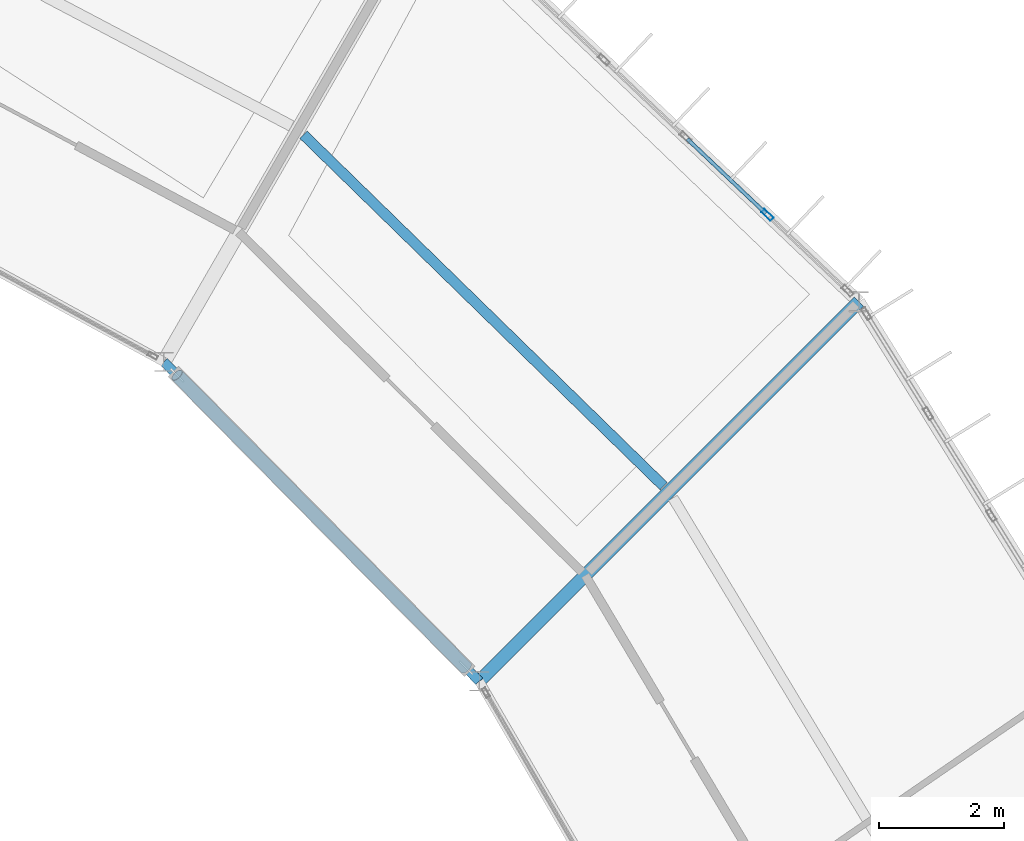
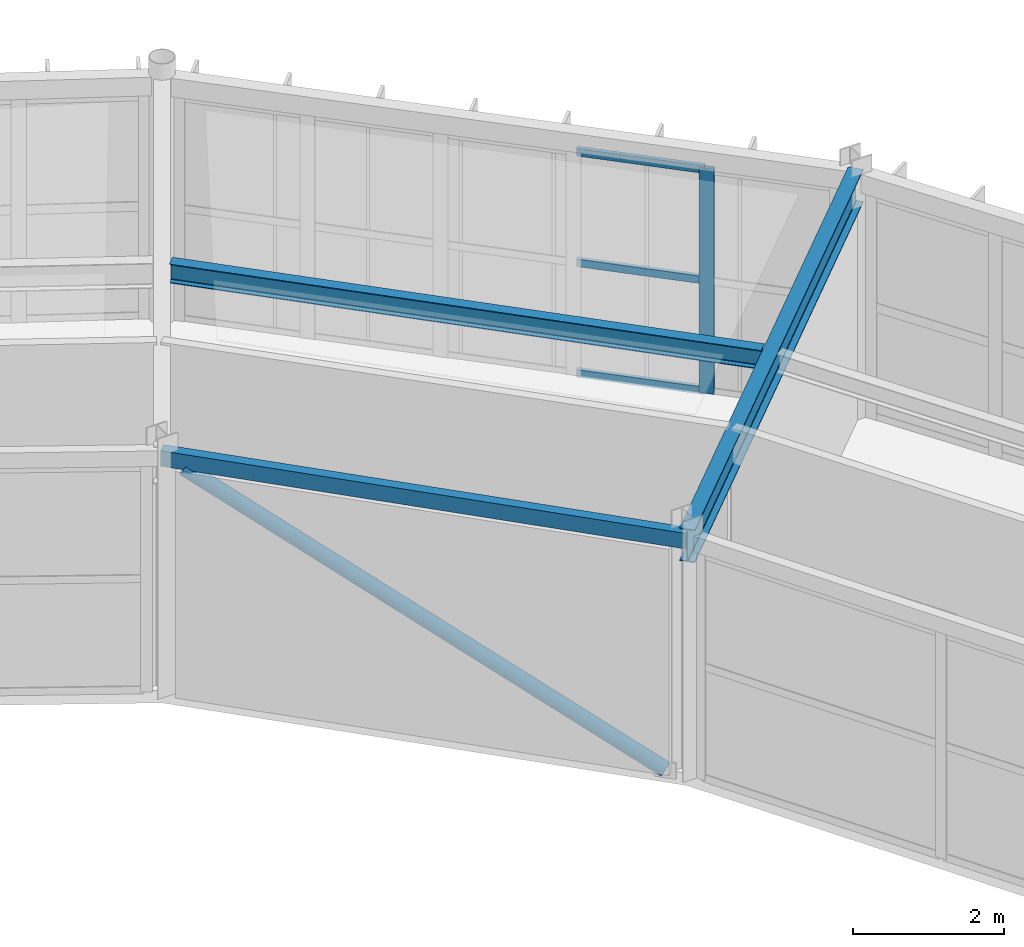
# One storey, part 84 of 148: 5 members, 3 beams, 1 element without a shape of its own.
"""IFC4 building model written with IfcOpenShell, lengths in metres."""

from ifc_helpers import new_model, si_unit, direction, frame, origin, origin_2d, place, context, subcontext, project, spatial, hollow_rectangle, hollow_circle, i_section, extrude, material, material_profile, profile_set, type_object, element, aggregate, save


model = new_model("IFC4")

# Units and contexts
model_context = context("Model", 3, precision=1e-05, world=origin(), true_north=direction((0.0, 1.0)))
body_context = subcontext(model_context, "Body", "Model", "MODEL_VIEW")
ifc_project = project(units=[si_unit("LENGTHUNIT", "METRE"), si_unit("AREAUNIT", "SQUARE_METRE"), si_unit("VOLUMEUNIT", "CUBIC_METRE"), si_unit("PLANEANGLEUNIT", "RADIAN"), si_unit("MASSUNIT", "GRAM", prefix="KILO")], contexts=[model_context])

# Site, building, storey
site_placement = place(None, origin())
site = spatial("IfcSite", under=ifc_project, at=site_placement, CompositionType="ELEMENT")
building_placement = place(site_placement, origin())
building = spatial("IfcBuilding", under=site, at=building_placement, Name="Karori Crest Natural Sciences Institute", CompositionType="ELEMENT")
storey_placement = place(building_placement, frame((0.0, 0.0, 4.89990234375)))
storey = spatial("IfcBuildingStorey", under=building, at=storey_placement, Name="L01", CompositionType="ELEMENT", Elevation=4.89990234375)

# Beams
ifc_material_1 = material(Name="Structural steel AS/NZS 3679.1 Grade 350", Category="steel")
ifc_material_profile_1 = material_profile(ifc_material_1, i_section(OverallWidth=0.208984375, OverallDepth=0.532958984375, WebThickness=0.01025390625, FlangeThickness=0.015625, FilletRadius=0.013916015625, at=origin_2d()), Name="530UB92.4")
ifc_profile_set_1 = profile_set([ifc_material_profile_1], Name="Structural steel AS/NZS 3679.1 Grade 350")
beam_type_1 = type_object("IfcBeamType", Name="BT-05", PredefinedType="BEAM", material=ifc_profile_set_1)
beam_1_placement = place(storey_placement, frame((83.6533203125, 72.668701171875, 3.673583984375), z_axis=(0.707106781187, 0.707106781187, 0.0), x_axis=(-0.707106781187, 0.707106781187, 0.0)))
element("IfcBeam", 1, at=beam_1_placement, inside=storey, type_object=beam_type_1, Name="Beam B-0193", PredefinedType="BEAM", context=body_context, shape_type="SweptSolid", body=[
    extrude(i_section(OverallWidth=0.208984375, OverallDepth=0.532958984375, WebThickness=0.01025390625, FlangeThickness=0.015625, FilletRadius=0.013916015625, at=origin_2d()), origin(), (0.0, 0.0, 1.0), 8.600341796875),
])
ifc_material_profile_2 = material_profile(ifc_material_1, i_section(OverallWidth=0.166015625, OverallDepth=0.306884765625, WebThickness=0.006591796875, FlangeThickness=0.01171875, FilletRadius=0.010986328125, at=origin_2d()), Name="310UB46.2")
ifc_profile_set_2 = profile_set([ifc_material_profile_2], Name="Structural steel AS/NZS 3679.1 Grade 350")
beam_type_2 = type_object("IfcBeamType", Name="BT-09", PredefinedType="BEAM", material=ifc_profile_set_2)
beam_2_placement = place(storey_placement, frame((86.608154296875, 75.793212890625, 3.78662109375), z_axis=(-0.715696324431, 0.698411605857, 0.0), x_axis=(-0.698411605857, -0.715696324431, 0.0)))
element("IfcBeam", 2, at=beam_2_placement, inside=storey, type_object=beam_type_2, Name="Beam B-0194", PredefinedType="BEAM", context=body_context, shape_type="SweptSolid", body=[
    extrude(i_section(OverallWidth=0.166015625, OverallDepth=0.306884765625, WebThickness=0.006591796875, FlangeThickness=0.01171875, FilletRadius=0.010986328125, at=origin_2d()), origin(), (0.0, 0.0, 1.0), 8.065185546875),
])
ifc_material_2 = material(Name="Hollow structural steel AS/NZS 1163 Grade C350", Category="steel")
ifc_material_profile_3 = material_profile(ifc_material_2, hollow_rectangle(XDim=0.14990234375, YDim=0.25, WallThickness=0.009033203125, at=origin_2d()), Name="RHS250x150x9")
ifc_profile_set_3 = profile_set([ifc_material_profile_3], Name="Hollow structural steel AS/NZS 1163 Grade C350")
beam_type_3 = type_object("IfcBeamType", Name="BT-16", PredefinedType="SPANDREL", material=ifc_profile_set_3)
beam_3_placement = place(storey_placement, frame((83.6533203125, 72.668701171875, 3.7900390625), z_axis=(-0.702645672149, 0.711539921164, 0.0), x_axis=(-0.711539921164, -0.702645672149, 0.0)))
element("IfcBeam", 3, at=beam_3_placement, inside=storey, type_object=beam_type_3, Name="Beam B-0192", PredefinedType="SPANDREL", context=body_context, shape_type="SweptSolid", body=[
    extrude(hollow_rectangle(XDim=0.14990234375, YDim=0.25, WallThickness=0.009033203125, at=origin_2d()), origin(), (0.0, 0.0, 1.0), 7.191650390625),
])

# Curtain wall, members
ifc_material_3 = material(Name="Anodised architectural aluminium 6063-T6", Category="aluminium")
curtain_wall_type = type_object("IfcCurtainWallType", Name="CWT-04", PredefinedType="NOTDEFINED", material=ifc_material_3)
curtain_wall_placement = place(storey_placement, origin())
curtain_wall = element("IfcCurtainWall", 4, at=curtain_wall_placement, inside=storey, type_object=curtain_wall_type, Name="Curtain wall CW-0035", PredefinedType="NOTDEFINED")
ifc_material_profile_4 = material_profile(ifc_material_3, hollow_rectangle(XDim=0.074951171875, YDim=0.199951171875, WallThickness=0.0048828125, at=origin_2d()), Name="CWM200x75x5")
ifc_profile_set_4 = profile_set([ifc_material_profile_4], Name="Anodised architectural aluminium 6063-T6")
member_type_1 = type_object("IfcMemberType", Name="CWM-02", PredefinedType="MULLION", material=ifc_profile_set_4)
member_1_placement = place(storey_placement, frame((88.27001953125, 80.139404296875, 0.0), z_axis=(0.0, 0.0, 1.0), x_axis=(0.688245939986, 0.725477446992, 0.0)))
member_1 = element("IfcMember", 5, at=member_1_placement, type_object=member_type_1, Name="CW-0035 mullion 5", PredefinedType="MULLION", context=body_context, shape_type="SweptSolid", body=[
    extrude(hollow_rectangle(XDim=0.074951171875, YDim=0.199951171875, WallThickness=0.0048828125, at=origin_2d()), origin(), (0.0, 0.0, 1.0), 3.625),
])
ifc_material_profile_5 = material_profile(ifc_material_3, hollow_rectangle(XDim=0.06005859375, YDim=0.1201171875, WallThickness=0.00390625, at=origin_2d()), Name="CWT120x60x4")
ifc_profile_set_5 = profile_set([ifc_material_profile_5], Name="Anodised architectural aluminium 6063-T6")
member_type_2 = type_object("IfcMemberType", Name="CWT-TR1", PredefinedType="USERDEFINED", material=ifc_profile_set_5)
member_2_placement = place(storey_placement, frame((86.986572265625, 81.35693359375, 0.030029296875), z_axis=(0.725474530002, -0.68824901476, 0.0), x_axis=(0.68824901476, 0.725474530002, 0.0)))
member_2 = element("IfcMember", 6, at=member_2_placement, type_object=member_type_2, Name="CW-0035 transom 4.1", ObjectType="TRANSOM", PredefinedType="USERDEFINED", context=body_context, shape_type="SweptSolid", body=[
    extrude(hollow_rectangle(XDim=0.06005859375, YDim=0.1201171875, WallThickness=0.00390625, at=origin_2d()), origin(), (0.0, 0.0, 1.0), 1.7314453125),
])
member_3_placement = place(storey_placement, frame((86.986572265625, 81.35693359375, 1.8125), z_axis=(0.725474530002, -0.68824901476, 0.0), x_axis=(0.68824901476, 0.725474530002, 0.0)))
member_3 = element("IfcMember", 7, at=member_3_placement, type_object=member_type_2, Name="CW-0035 transom 4.2", ObjectType="TRANSOM", PredefinedType="USERDEFINED", context=body_context, shape_type="SweptSolid", body=[
    extrude(hollow_rectangle(XDim=0.06005859375, YDim=0.1201171875, WallThickness=0.00390625, at=origin_2d()), origin(), (0.0, 0.0, 1.0), 1.7314453125),
])
member_4_placement = place(storey_placement, frame((86.986572265625, 81.35693359375, 3.59521484375), z_axis=(0.725474530002, -0.68824901476, 0.0), x_axis=(0.68824901476, 0.725474530002, 0.0)))
member_4 = element("IfcMember", 8, at=member_4_placement, type_object=member_type_2, Name="CW-0035 transom 4.3", ObjectType="TRANSOM", PredefinedType="USERDEFINED", context=body_context, shape_type="SweptSolid", body=[
    extrude(hollow_rectangle(XDim=0.06005859375, YDim=0.1201171875, WallThickness=0.00390625, at=origin_2d()), origin(), (0.0, 0.0, 1.0), 1.7314453125),
])
aggregate(curtain_wall, [member_1, member_2, member_3, member_4])

# Member
ifc_material_profile_6 = material_profile(ifc_material_2, hollow_circle(Radius=0.109619140625, WallThickness=0.00830078125, at=origin_2d()), Name="CHS219.1x8.2")
ifc_profile_set_6 = profile_set([ifc_material_profile_6], Name="Hollow structural steel AS/NZS 1163 Grade C350")
member_type_3 = type_object("IfcMemberType", Name="MT-02", PredefinedType="BRACE", material=ifc_profile_set_6)
member_5_placement = place(storey_placement, frame((83.442626953125, 72.88232421875, 0.010009765625), z_axis=(-0.615109843924, 0.62285869764, 0.483411752736), x_axis=(-0.711518857686, -0.702667001614, 0.0)))
element("IfcMember", 9, at=member_5_placement, inside=storey, type_object=member_type_3, Name="Diagonal Brace M-0009", PredefinedType="BRACE", context=body_context, shape_type="SweptSolid", body=[
    extrude(hollow_circle(Radius=0.109619140625, WallThickness=0.00830078125, at=origin_2d()), origin(), (0.0, 0.0, 1.0), 7.530029296875),
])

save(model, "model.ifc")
